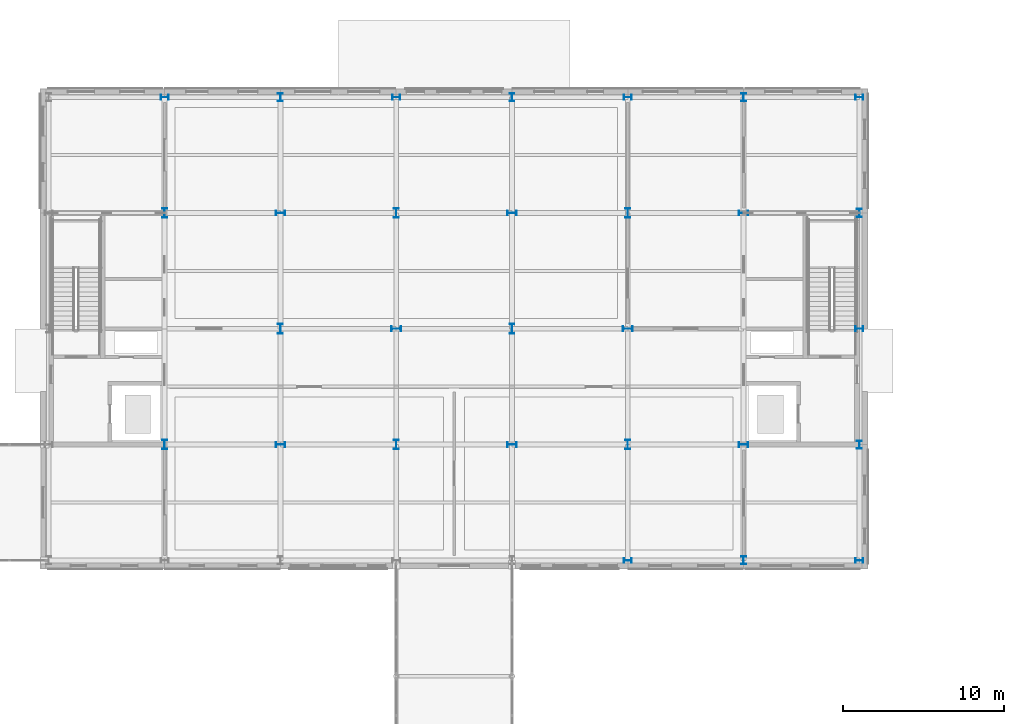
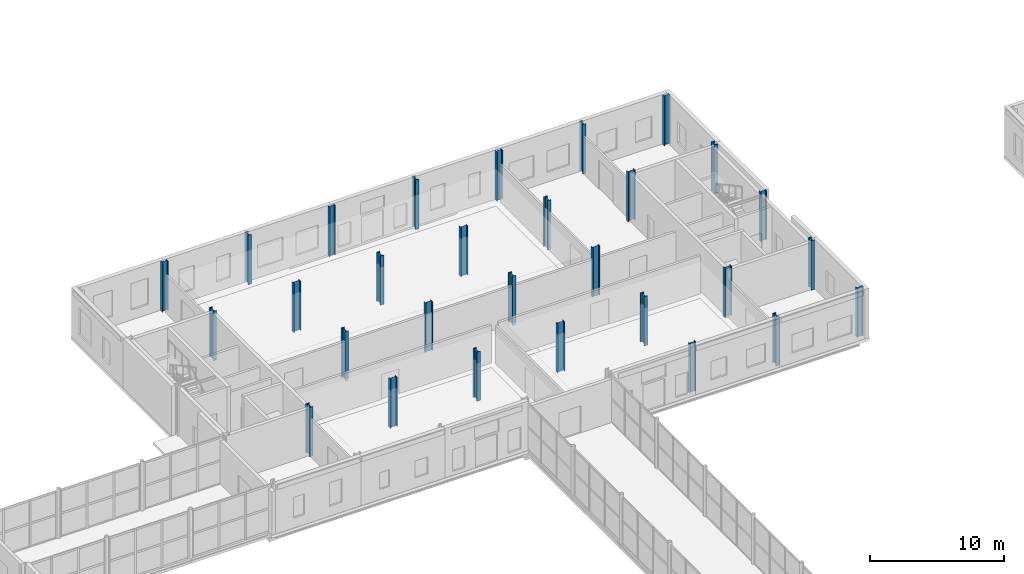
# One storey, part 15 of 92: 29 columns.
"""IFC4 building model written with IfcOpenShell, lengths in metres."""

from ifc_helpers import new_model, si_unit, direction, frame, origin, origin_2d, place, context, subcontext, project, spatial, i_section, extrude, material, material_profile, profile_set, type_object, element, save


model = new_model("IFC4")

# Units and contexts
model_context = context("Model", 3, precision=1e-05, world=origin(), true_north=direction((0.0, 1.0)))
body_context = subcontext(model_context, "Body", "Model", "MODEL_VIEW")
ifc_project = project(units=[si_unit("LENGTHUNIT", "METRE"), si_unit("AREAUNIT", "SQUARE_METRE"), si_unit("VOLUMEUNIT", "CUBIC_METRE"), si_unit("PLANEANGLEUNIT", "RADIAN"), si_unit("MASSUNIT", "GRAM", prefix="KILO")], contexts=[model_context])

# Site, building, storey
site_placement = place(None, origin())
site = spatial("IfcSite", under=ifc_project, at=site_placement, CompositionType="ELEMENT")
building_placement = place(site_placement, origin())
building = spatial("IfcBuilding", under=site, at=building_placement, Name="Zlatovets Crest Museum", CompositionType="ELEMENT")
storey_placement = place(building_placement, origin())
storey = spatial("IfcBuildingStorey", under=building, at=storey_placement, Name="L00", CompositionType="ELEMENT", Elevation=0.0)

# Columns
ifc_material = material(Name="Structural steel S355J2", Category="steel")
ifc_material_profile_1 = material_profile(ifc_material, i_section(OverallWidth=0.300048828125, OverallDepth=0.60009765625, WebThickness=0.015380859375, FlangeThickness=0.030029296875, FilletRadius=0.027099609375, at=origin_2d()), Name="HEB 600")
ifc_profile_set_1 = profile_set([ifc_material_profile_1], Name="Structural steel S355J2")
column_type_1 = type_object("IfcColumnType", Name="Col_C-04", PredefinedType="COLUMN", material=ifc_profile_set_1)
for number, where, z_axis, x_axis, name in (
    (1, (64.800048828125, 93.60009765625, 0.0), (0.0, 0.0, 1.0), (1.0, 0.0, 0.0), "V1 L00 Column (64.8, 93.6)"),
    (2, (64.800048828125, 108.0, 0.0), (0.0, 0.0, 1.0), (1.0, 0.0, 0.0), "V1 L00 Column (64.8, 108.0)"),
    (3, (72.0, 93.60009765625, 0.0), (0.0, 0.0, 1.0), (0.0, 1.0, 0.0), "V1 L00 Column (72.0, 93.6)"),
    (4, (72.0, 100.800048828125, 0.0), (0.0, 0.0, 1.0), (1.0, 0.0, 0.0), "V1 L00 Column (72.0, 100.8)"),
    (5, (72.0, 108.0, 0.0), (0.0, 0.0, 1.0), (0.0, 1.0, 0.0), "V1 L00 Column (72.0, 108.0)"),
    (6, (79.199951171875, 93.60009765625, 0.0), (0.0, 0.0, 1.0), (1.0, 0.0, 0.0), "V1 L00 Column (79.2, 93.6)"),
    (7, (79.199951171875, 100.800048828125, 0.0), (0.0, 0.0, 1.0), (0.0, 1.0, 0.0), "V1 L00 Column (79.2, 100.8)"),
    (8, (79.199951171875, 108.0, 0.0), (0.0, 0.0, 1.0), (1.0, 0.0, 0.0), "V1 L00 Column (79.2, 108.0)"),
    (9, (86.39990234375, 93.60009765625, 0.0), (0.0, 0.0, 1.0), (0.0, 1.0, 0.0), "V1 L00 Column (86.4, 93.6)"),
    (10, (86.39990234375, 100.800048828125, 0.0), (0.0, 0.0, 1.0), (1.0, 0.0, 0.0), "V1 L00 Column (86.4, 100.8)"),
    (11, (86.39990234375, 108.0, 0.0), (0.0, 0.0, 1.0), (0.0, 1.0, 0.0), "V1 L00 Column (86.4, 108.0)"),
    (12, (93.60009765625, 93.60009765625, 0.0), (0.0, 0.0, 1.0), (1.0, 0.0, 0.0), "V1 L00 Column (93.6, 93.6)"),
    (13, (93.60009765625, 100.800048828125, 0.0), (0.0, 0.0, 1.0), (0.0, 1.0, 0.0), "V1 L00 Column (93.6, 100.8)"),
    (14, (93.60009765625, 108.0, 0.0), (0.0, 0.0, 1.0), (1.0, 0.0, 0.0), "V1 L00 Column (93.6, 108.0)"),
    (15, (100.800048828125, 93.60009765625, 0.0), (0.0, 0.0, 1.0), (0.0, 1.0, 0.0), "V1 L00 Column (100.8, 93.6)"),
    (16, (100.800048828125, 108.0, 0.0), (0.0, 0.0, 1.0), (0.0, 1.0, 0.0), "V1 L00 Column (100.8, 108.0)"),
):
    element("IfcColumn", number, at=place(storey_placement, frame(where, z_axis=z_axis, x_axis=x_axis)), inside=storey, type_object=column_type_1, Name=name, PredefinedType="COLUMN", context=body_context, shape_type="SweptSolid", body=[
        extrude(i_section(OverallWidth=0.300048828125, OverallDepth=0.60009765625, WebThickness=0.015380859375, FlangeThickness=0.030029296875, FilletRadius=0.027099609375, at=origin_2d()), origin(), (0.0, 0.0, 1.0), 4.5),
    ])
ifc_material_profile_2 = material_profile(ifc_material, i_section(OverallWidth=0.300048828125, OverallDepth=0.5, WebThickness=0.014404296875, FlangeThickness=0.028076171875, FilletRadius=0.027099609375, at=origin_2d()), Name="HEB 500")
ifc_profile_set_2 = profile_set([ifc_material_profile_2], Name="Structural steel S355J2")
column_type_2 = type_object("IfcColumnType", Name="Col_C-05", PredefinedType="COLUMN", material=ifc_profile_set_2)
for number, where, z_axis, x_axis, name in (
    (17, (64.800048828125, 115.199951171875, 0.0), (0.0, 0.0, 1.0), (0.0, 1.0, 0.0), "V1 L00 Column (64.8, 115.2)"),
    (18, (72.0, 115.199951171875, 0.0), (0.0, 0.0, 1.0), (1.0, 0.0, 0.0), "V1 L00 Column (72.0, 115.2)"),
    (19, (79.199951171875, 115.199951171875, 0.0), (0.0, 0.0, 1.0), (0.0, 1.0, 0.0), "V1 L00 Column (79.2, 115.2)"),
    (20, (86.39990234375, 115.199951171875, 0.0), (0.0, 0.0, 1.0), (1.0, 0.0, 0.0), "V1 L00 Column (86.4, 115.2)"),
    (21, (93.60009765625, 86.39990234375, 0.0), (0.0, 0.0, 1.0), (0.0, 1.0, 0.0), "V1 L00 Column (93.6, 86.4)"),
    (22, (93.60009765625, 115.199951171875, 0.0), (0.0, 0.0, 1.0), (0.0, 1.0, 0.0), "V1 L00 Column (93.6, 115.2)"),
    (23, (100.800048828125, 86.39990234375, 0.0), (0.0, 0.0, 1.0), (1.0, 0.0, 0.0), "V1 L00 Column (100.8, 86.4)"),
    (24, (100.800048828125, 115.199951171875, 0.0), (0.0, 0.0, 1.0), (1.0, 0.0, 0.0), "V1 L00 Column (100.8, 115.2)"),
    (25, (108.0, 86.39990234375, 0.0), (0.0, 0.0, 1.0), (0.0, 1.0, 0.0), "V1 L00 Column (108.0, 86.4)"),
    (26, (108.0, 93.60009765625, 0.0), (0.0, 0.0, 1.0), (1.0, 0.0, 0.0), "V1 L00 Column (108.0, 93.6)"),
    (27, (108.0, 100.800048828125, 0.0), (0.0, 0.0, 1.0), (0.0, 1.0, 0.0), "V1 L00 Column (108.0, 100.8)"),
    (28, (108.0, 108.0, 0.0), (0.0, 0.0, 1.0), (1.0, 0.0, 0.0), "V1 L00 Column (108.0, 108.0)"),
    (29, (108.0, 115.199951171875, 0.0), (0.0, 0.0, 1.0), (0.0, 1.0, 0.0), "V1 L00 Column (108.0, 115.2)"),
):
    element("IfcColumn", number, at=place(storey_placement, frame(where, z_axis=z_axis, x_axis=x_axis)), inside=storey, type_object=column_type_2, Name=name, PredefinedType="COLUMN", context=body_context, shape_type="SweptSolid", body=[
        extrude(i_section(OverallWidth=0.300048828125, OverallDepth=0.5, WebThickness=0.014404296875, FlangeThickness=0.028076171875, FilletRadius=0.027099609375, at=origin_2d()), origin(), (0.0, 0.0, 1.0), 4.5),
    ])

save(model, "model.ifc")
